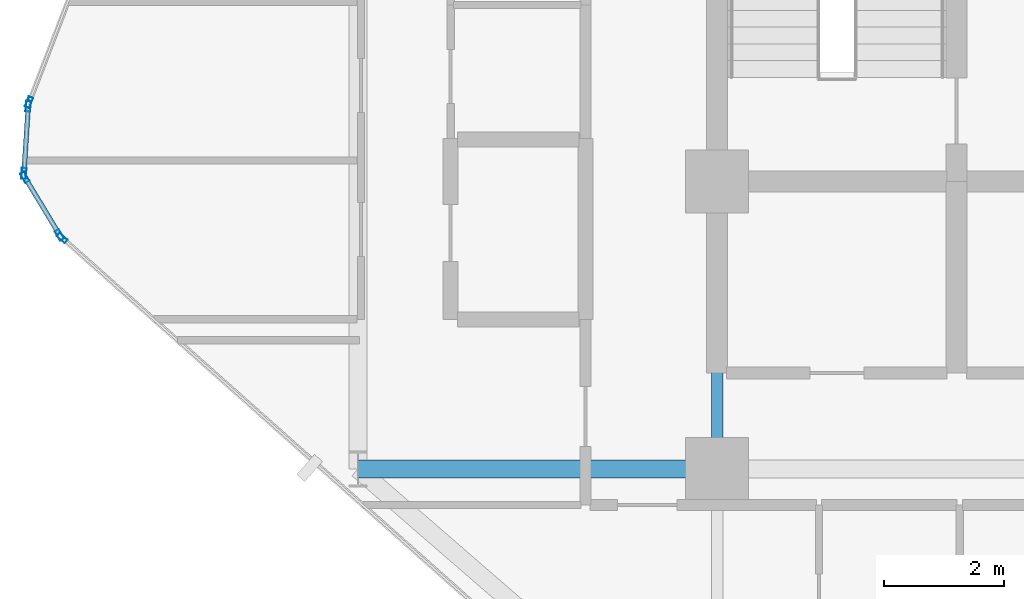
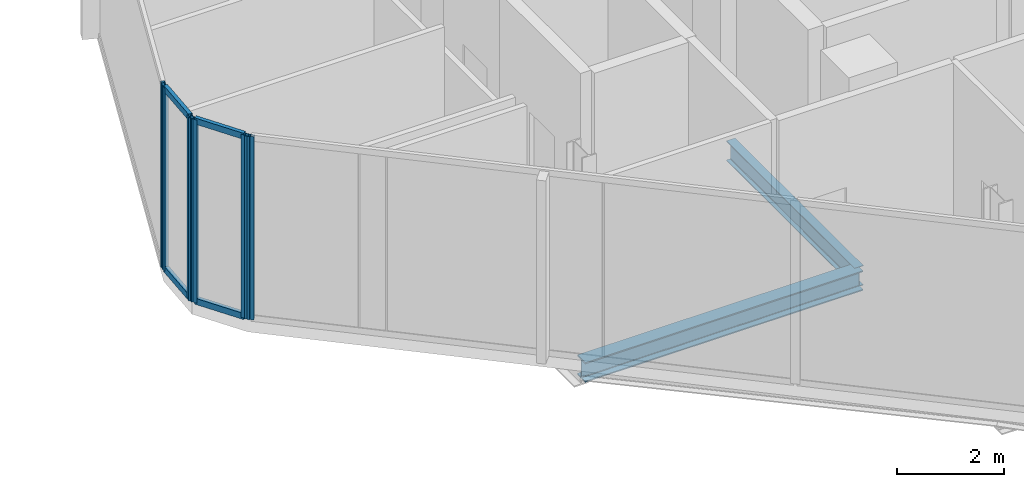
# One storey, part 6 of 30: 10 members, 2 beams, 4 elements without a shape of their own.
"""IFC4 building model written with IfcOpenShell, lengths in metres."""

from ifc_helpers import new_model, si_unit, direction, frame, origin, origin_2d, place, context, subcontext, project, spatial, hollow_rectangle, i_section, extrude, material, layer, layer_set, material_profile, profile_set, type_object, element, aggregate, save


model = new_model("IFC4")

# Units and contexts
model_context = context("Model", 3, precision=1e-05, world=origin(), true_north=direction((0.0, 1.0)))
body_context = subcontext(model_context, "Body", "Model", "MODEL_VIEW")
ifc_project = project(units=[si_unit("LENGTHUNIT", "METRE"), si_unit("AREAUNIT", "SQUARE_METRE"), si_unit("VOLUMEUNIT", "CUBIC_METRE"), si_unit("PLANEANGLEUNIT", "RADIAN"), si_unit("MASSUNIT", "GRAM", prefix="KILO")], contexts=[model_context])

# Site, building, storey
site_placement = place(None, origin())
site = spatial("IfcSite", under=ifc_project, at=site_placement, CompositionType="ELEMENT")
building_placement = place(site_placement, origin())
building = spatial("IfcBuilding", under=site, at=building_placement, Name="Keshet Zoharim Tower", CompositionType="ELEMENT")
storey_placement = place(building_placement, frame((0.0, 0.0, 86.39990234375)))
storey = spatial("IfcBuildingStorey", under=building, at=storey_placement, Name="L20", CompositionType="ELEMENT", Elevation=86.39990234375)

# Beams
ifc_material_1 = material(Name="Steel S355", Category="steel")
ifc_material_profile_1 = material_profile(ifc_material_1, i_section(OverallWidth=0.18994140625, OverallDepth=0.449951171875, WebThickness=0.009521484375, FlangeThickness=0.0146484375, FilletRadius=0.02099609375, at=origin_2d()), Name="IPE450")
ifc_profile_set_1 = profile_set([ifc_material_profile_1], Name="Steel S355")
beam_type_1 = type_object("IfcBeamType", Name="BM-PRI-IP450", PredefinedType="BEAM", material=ifc_profile_set_1)
beam_1_placement = place(storey_placement, frame((15.0, 17.89990234375, -0.539794921875), z_axis=(0.0, 1.0, 0.0), x_axis=(-1.0, 0.0, 0.0)))
element("IfcBeam", 1, at=beam_1_placement, inside=storey, type_object=beam_type_1, Name="L20 Primary Girder Y-003", PredefinedType="BEAM", context=body_context, shape_type="SweptSolid", body=[
    extrude(i_section(OverallWidth=0.18994140625, OverallDepth=0.449951171875, WebThickness=0.009521484375, FlangeThickness=0.0146484375, FilletRadius=0.02099609375, at=origin_2d()), origin(), (0.0, 0.0, 1.0), 4.800048828125),
])
ifc_material_profile_2 = material_profile(ifc_material_1, i_section(OverallWidth=0.300048828125, OverallDepth=0.449951171875, WebThickness=0.013916015625, FlangeThickness=0.02587890625, FilletRadius=0.027099609375, at=origin_2d()), Name="HEB450")
ifc_profile_set_2 = profile_set([ifc_material_profile_2], Name="Steel S355")
beam_type_2 = type_object("IfcBeamType", Name="BM-WEB-HB450", PredefinedType="BEAM", material=ifc_profile_set_2)
beam_2_placement = place(storey_placement, frame((9.0, 17.89990234375, -0.539794921875), z_axis=(1.0, 0.0, 0.0), x_axis=(0.0, 1.0, 0.0)))
element("IfcBeam", 2, at=beam_2_placement, inside=storey, type_object=beam_type_2, Name="L20 Primary Girder X-011", PredefinedType="BEAM", context=body_context, shape_type="SweptSolid", body=[
    extrude(i_section(OverallWidth=0.300048828125, OverallDepth=0.449951171875, WebThickness=0.013916015625, FlangeThickness=0.02587890625, FilletRadius=0.027099609375, at=origin_2d()), origin(), (0.0, 0.0, 1.0), 6.0),
])

# Curtain wall, member
ifc_material_2 = material(Name="Aluminium 6063-T6", Category="aluminium")
ifc_layer = layer(ifc_material_2, 0.159912109375)
ifc_layer_set = layer_set([ifc_layer], Name="Aluminium 6063-T6")
curtain_wall_type = type_object("IfcCurtainWallType", Name="CW-SYS-03", PredefinedType="NOTDEFINED", material=ifc_layer_set)
curtain_wall_1_placement = place(storey_placement, origin())
curtain_wall_1 = element("IfcCurtainWall", 3, at=curtain_wall_1_placement, inside=storey, type_object=curtain_wall_type, Name="L20 Unitised Curtain Wall 07 Part 2", PredefinedType="NOTDEFINED")
ifc_material_profile_3 = material_profile(ifc_material_2, hollow_rectangle(XDim=0.080078125, YDim=0.179931640625, WallThickness=0.00439453125, at=origin_2d()), Name="MUL-80x180")
ifc_profile_set_3 = profile_set([ifc_material_profile_3], Name="Aluminium 6063-T6")
member_type_1 = type_object("IfcMemberType", Name="CWM-M18", PredefinedType="MULLION", material=ifc_profile_set_3)
member_1_placement = place(storey_placement, frame((4.061279296875, 21.7568359375, 0.0), z_axis=(0.0, 0.0, 1.0), x_axis=(-0.664364135343, -0.747409055117, 0.0)))
member_1 = element("IfcMember", 4, at=member_1_placement, type_object=member_type_1, Name="CW-03 mullion 3", PredefinedType="MULLION", context=body_context, shape_type="SweptSolid", body=[
    extrude(hollow_rectangle(XDim=0.080078125, YDim=0.179931640625, WallThickness=0.00439453125, at=origin_2d()), origin(), (0.0, 0.0, 1.0), 4.18505859375),
])
aggregate(curtain_wall_1, [member_1])

# Curtain wall, members
curtain_wall_2_placement = place(storey_placement, origin())
curtain_wall_2 = element("IfcCurtainWall", 5, at=curtain_wall_2_placement, inside=storey, type_object=curtain_wall_type, Name="L20 Unitised Curtain Wall 08", PredefinedType="NOTDEFINED")
member_2_placement = place(storey_placement, frame((4.016845703125, 21.81005859375, 0.0), z_axis=(0.0, 0.0, 1.0), x_axis=(-0.856826433805, -0.515604947933, 0.0)))
member_2 = element("IfcMember", 6, at=member_2_placement, type_object=member_type_1, Name="CW-03 mullion 1", PredefinedType="MULLION", context=body_context, shape_type="SweptSolid", body=[
    extrude(hollow_rectangle(XDim=0.080078125, YDim=0.179931640625, WallThickness=0.00439453125, at=origin_2d()), origin(), (0.0, 0.0, 1.0), 4.18505859375),
])
member_3_placement = place(storey_placement, frame((3.43798828125, 22.77197265625, 0.0), z_axis=(0.0, 0.0, 1.0), x_axis=(-0.856826433805, -0.515604947933, 0.0)))
member_3 = element("IfcMember", 7, at=member_3_placement, type_object=member_type_1, Name="CW-03 mullion 2", PredefinedType="MULLION", context=body_context, shape_type="SweptSolid", body=[
    extrude(hollow_rectangle(XDim=0.080078125, YDim=0.179931640625, WallThickness=0.00439453125, at=origin_2d()), origin(), (0.0, 0.0, 1.0), 4.18505859375),
])

curtain_wall_3_placement = place(storey_placement, origin())
curtain_wall_3 = element("IfcCurtainWall", 8, at=curtain_wall_3_placement, inside=storey, type_object=curtain_wall_type, Name="L20 Unitised Curtain Wall 09", PredefinedType="NOTDEFINED")
member_4_placement = place(storey_placement, frame((3.42236328125, 22.8369140625, 0.0), z_axis=(0.0, 0.0, 1.0), x_axis=(-0.997916617186, 0.064516859374, 0.0)))
member_4 = element("IfcMember", 9, at=member_4_placement, type_object=member_type_1, Name="CW-03 mullion 1", PredefinedType="MULLION", context=body_context, shape_type="SweptSolid", body=[
    extrude(hollow_rectangle(XDim=0.080078125, YDim=0.179931640625, WallThickness=0.00439453125, at=origin_2d()), origin(), (0.0, 0.0, 1.0), 4.18505859375),
])
member_5_placement = place(storey_placement, frame((3.49462890625, 23.9580078125, 0.0), z_axis=(0.0, 0.0, 1.0), x_axis=(-0.997916617186, 0.064516859374, 0.0)))
member_5 = element("IfcMember", 10, at=member_5_placement, type_object=member_type_1, Name="CW-03 mullion 2", PredefinedType="MULLION", context=body_context, shape_type="SweptSolid", body=[
    extrude(hollow_rectangle(XDim=0.080078125, YDim=0.179931640625, WallThickness=0.00439453125, at=origin_2d()), origin(), (0.0, 0.0, 1.0), 4.18505859375),
])

# Curtain wall, member
curtain_wall_4_placement = place(storey_placement, origin())
curtain_wall_4 = element("IfcCurtainWall", 11, at=curtain_wall_4_placement, inside=storey, type_object=curtain_wall_type, Name="L20 Unitised Curtain Wall 10", PredefinedType="NOTDEFINED")
member_6_placement = place(storey_placement, frame((3.509521484375, 24.025634765625, 0.0), z_axis=(0.0, 0.0, 1.0), x_axis=(-0.933341404361, 0.358990003907, 0.0)))
member_6 = element("IfcMember", 12, at=member_6_placement, type_object=member_type_1, Name="CW-03 mullion 1", PredefinedType="MULLION", context=body_context, shape_type="SweptSolid", body=[
    extrude(hollow_rectangle(XDim=0.080078125, YDim=0.179931640625, WallThickness=0.00439453125, at=origin_2d()), origin(), (0.0, 0.0, 1.0), 4.18505859375),
])
aggregate(curtain_wall_4, [member_6])

# Member
ifc_material_profile_4 = material_profile(ifc_material_2, hollow_rectangle(XDim=0.080078125, YDim=0.139892578125, WallThickness=0.00390625, at=origin_2d()), Name="TRN-80x140")
ifc_profile_set_4 = profile_set([ifc_material_profile_4], Name="Aluminium 6063-T6")
member_type_2 = type_object("IfcMemberType", Name="CWT-T14", PredefinedType="USERDEFINED", material=ifc_profile_set_4)
member_7_placement = place(storey_placement, frame((3.9990234375, 21.840087890625, 0.03515625), z_axis=(-0.515791194107, 0.856714330499, 0.0), x_axis=(-0.856714330499, -0.515791194107, 0.0)))
member_7 = element("IfcMember", 13, at=member_7_placement, type_object=member_type_2, Name="CW-03 transom 1.1", ObjectType="TRANSOM", PredefinedType="USERDEFINED", context=body_context, shape_type="SweptSolid", body=[
    extrude(hollow_rectangle(XDim=0.080078125, YDim=0.139892578125, WallThickness=0.00390625, at=origin_2d()), origin(), (0.0, 0.0, 1.0), 1.052734375),
])

member_8_placement = place(storey_placement, frame((3.9990234375, 21.840087890625, 4.150146484375), z_axis=(-0.515791194107, 0.856714330499, 0.0), x_axis=(-0.856714330499, -0.515791194107, 0.0)))
member_8 = element("IfcMember", 14, at=member_8_placement, type_object=member_type_2, Name="CW-03 transom 1.2", ObjectType="TRANSOM", PredefinedType="USERDEFINED", context=body_context, shape_type="SweptSolid", body=[
    extrude(hollow_rectangle(XDim=0.080078125, YDim=0.139892578125, WallThickness=0.00390625, at=origin_2d()), origin(), (0.0, 0.0, 1.0), 1.052734375),
])

aggregate(curtain_wall_2, [member_2, member_3, member_7, member_8])

member_9_placement = place(storey_placement, frame((3.424560546875, 22.871826171875, 0.03515625), z_axis=(0.064426947155, 0.997922426083, 0.0), x_axis=(-0.997922426083, 0.064426947155, 0.0)))
member_9 = element("IfcMember", 15, at=member_9_placement, type_object=member_type_2, Name="CW-03 transom 1.1", ObjectType="TRANSOM", PredefinedType="USERDEFINED", context=body_context, shape_type="SweptSolid", body=[
    extrude(hollow_rectangle(XDim=0.080078125, YDim=0.139892578125, WallThickness=0.00390625, at=origin_2d()), origin(), (0.0, 0.0, 1.0), 1.053466796875),
])

member_10_placement = place(storey_placement, frame((3.424560546875, 22.871826171875, 4.150146484375), z_axis=(0.064426947155, 0.997922426083, 0.0), x_axis=(-0.997922426083, 0.064426947155, 0.0)))
member_10 = element("IfcMember", 16, at=member_10_placement, type_object=member_type_2, Name="CW-03 transom 1.2", ObjectType="TRANSOM", PredefinedType="USERDEFINED", context=body_context, shape_type="SweptSolid", body=[
    extrude(hollow_rectangle(XDim=0.080078125, YDim=0.139892578125, WallThickness=0.00390625, at=origin_2d()), origin(), (0.0, 0.0, 1.0), 1.053466796875),
])

aggregate(curtain_wall_3, [member_4, member_5, member_9, member_10])

save(model, "model.ifc")
